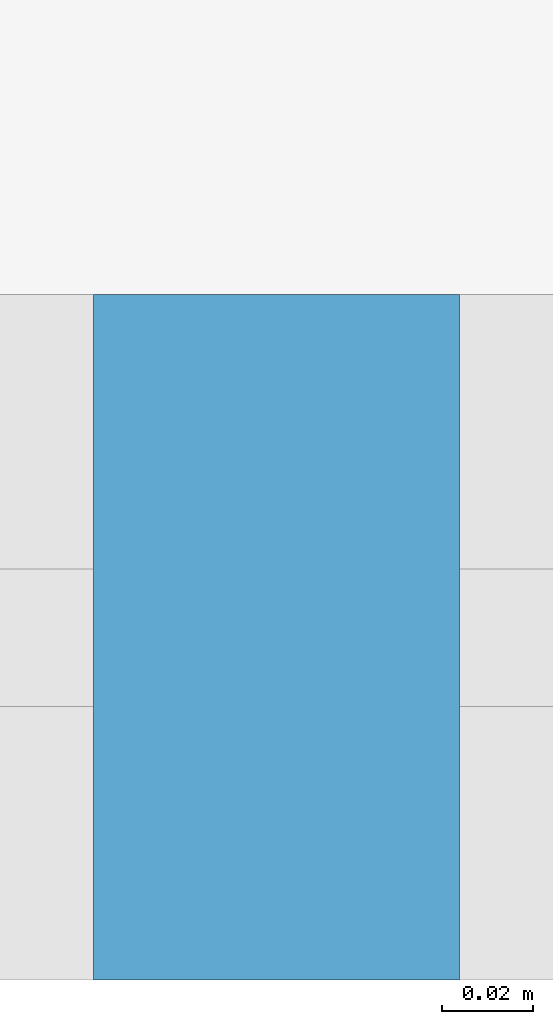
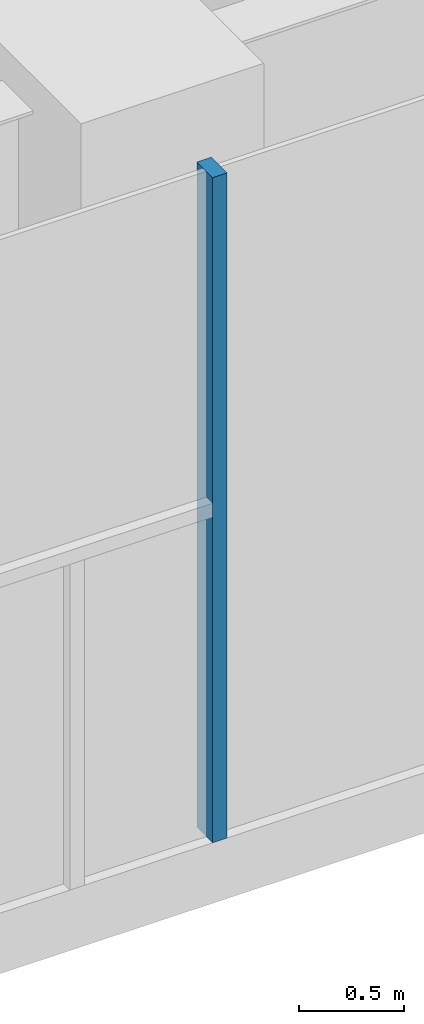
# One storey, part 5 of 21: 1 member, 1 element without a shape of its own.
"""IFC4 building model written with IfcOpenShell, lengths in metres."""

import ifcopenshell
import ifcopenshell.guid

model = None  # the IFC model being written
_history = None  # IfcOwnerHistory: only IFC2X3 demands one
_inside = {}  # id of a spatial element -> (the spatial element, [elements in it])
_under = {}  # id of a project, library or spatial element -> (it, [spatial elements below it])
_declared = {}  # id of a project -> (the project, [libraries it declares])
_typed = {}  # id of a type object -> (the type object, [elements of that type])
_made_of = {}  # id of a material, layer set ... -> (it, [elements and type objects made of it])


def new_model(schema):
    """Start an empty IFC model of exactly this schema.

    Asked for "IFC4X3", IfcOpenShell would pick the latest addendum, in which some entities
    have other attributes; the version numbers below select the first issue.
    IFC2X3 requires an IfcOwnerHistory on every rooted entity: one is made here for all.
    """
    global model, _history
    if schema == "IFC4X3":
        model = ifcopenshell.file(schema_version=(4, 3, 0, 0))
    else:
        model = ifcopenshell.file(schema=schema)
    _inside.clear()
    _under.clear()
    _declared.clear()
    _typed.clear()
    _made_of.clear()
    _history = None
    if model.schema == "IFC2X3":
        org = make("IfcOrganization", Name="unknown")
        user = make(
            "IfcPersonAndOrganization",
            ThePerson=make("IfcPerson", FamilyName="unknown"),
            TheOrganization=org,
        )
        app = make(
            "IfcApplication",
            ApplicationDeveloper=org,
            Version="unknown",
            ApplicationFullName="unknown",
            ApplicationIdentifier="unknown",
        )
        _history = make(
            "IfcOwnerHistory",
            OwningUser=user,
            OwningApplication=app,
            ChangeAction="ADDED",
            CreationDate=0,
        )
    return model


def make(cls, **values):
    """One entity of the class cls with the attributes given. An attribute that is None is left unset."""
    return model.create_entity(
        cls, **{name: value for name, value in values.items() if value is not None}
    )


def rooted(cls, **values):
    """An entity with a GlobalId (a new one), such as an element, a storey or a relation."""
    return make(cls, GlobalId=ifcopenshell.guid.new(), OwnerHistory=_history, **values)


def si_unit(unit_type, name, prefix=None):
    """IfcSIUnit, for example si_unit("LENGTHUNIT", "METRE", prefix="MILLI")."""
    return make("IfcSIUnit", UnitType=unit_type, Prefix=prefix, Name=name)


def assignment(units):
    """IfcUnitAssignment: the units of a project."""
    return None if units is None else make("IfcUnitAssignment", Units=units)


def point(xyz):
    """IfcCartesianPoint."""
    return None if xyz is None else make("IfcCartesianPoint", Coordinates=xyz)


def direction(xyz):
    """IfcDirection."""
    return None if xyz is None else make("IfcDirection", DirectionRatios=xyz)


def frame(location, z_axis=None, x_axis=None):
    """IfcAxis2Placement3D, a coordinate frame: its origin and axes. An axis left out is left unset."""
    return make(
        "IfcAxis2Placement3D",
        Location=point(location),
        Axis=direction(z_axis),
        RefDirection=direction(x_axis),
    )


def frame_2d(location, x_axis=None):
    """IfcAxis2Placement2D, a coordinate frame in the plane: its origin and x axis."""
    return make(
        "IfcAxis2Placement2D", Location=point(location), RefDirection=direction(x_axis)
    )


def origin():
    """The frame at (0, 0, 0) with its axes left unset."""
    return frame((0.0, 0.0, 0.0))


def origin_2d():
    """The frame at (0, 0) in the plane with its x axis left unset."""
    return frame_2d((0.0, 0.0))


def place(relative_to, where):
    """IfcLocalPlacement: puts the frame where relative to a parent placement (None: the world)."""
    return make(
        "IfcLocalPlacement", PlacementRelTo=relative_to, RelativePlacement=where
    )


def context(
    kind, dimensions, precision=None, world=None, true_north=None, identifier=None
):
    """IfcGeometricRepresentationContext, for example the 3D "Model" context."""
    return make(
        "IfcGeometricRepresentationContext",
        ContextIdentifier=identifier,
        ContextType=kind,
        CoordinateSpaceDimension=dimensions,
        Precision=precision,
        WorldCoordinateSystem=world,
        TrueNorth=true_north,
    )


def subcontext(parent, identifier, kind, view, scale=None):
    """IfcGeometricRepresentationSubContext, for example "Body" below "Model"."""
    return make(
        "IfcGeometricRepresentationSubContext",
        ContextIdentifier=identifier,
        ContextType=kind,
        ParentContext=parent,
        TargetScale=scale,
        TargetView=view,
    )


def project(units=None, contexts=None):
    """IfcProject with its units and contexts."""
    return rooted(
        "IfcProject",
        Name="project",
        RepresentationContexts=contexts,
        UnitsInContext=assignment(units),
    )


def spatial(cls, under=None, at=None, **own):
    """A site, building, storey or space (cls), placed at a placement, below another one or the project."""
    s = rooted(cls, ObjectPlacement=at, **own)
    if under is not None:
        _under.setdefault(under.id(), (under, []))[1].append(s)
    return s


def profile(cls, at=None, kind="AREA", **sizes):
    """A parametric profile (cls). Its sizes go by their IFC names, for example OverallWidth=200.0."""
    return make(cls, ProfileType=kind, Position=at, **sizes)


def rectangle(**sizes):
    """IfcRectangleProfileDef."""
    return profile("IfcRectangleProfileDef", **sizes)


def extrude(swept, where, along, depth):
    """IfcExtrudedAreaSolid: the profile swept, set in the frame where, extruded along a direction by depth."""
    return make(
        "IfcExtrudedAreaSolid",
        SweptArea=swept,
        Position=where,
        ExtrudedDirection=direction(along),
        Depth=depth,
    )


def shape(context_of_items, identifier, shape_type, items):
    """IfcShapeRepresentation: the items that make up one representation, for example the "Body"."""
    return make(
        "IfcShapeRepresentation",
        ContextOfItems=context_of_items,
        RepresentationIdentifier=identifier,
        RepresentationType=shape_type,
        Items=items,
    )


def material(Name=None, Category=None):
    """IfcMaterial."""
    return make("IfcMaterial", Name=Name, Category=Category)


def layer(
    of_material, thickness, ventilated=None, Name=None, Category=None, Priority=None
):
    """IfcMaterialLayer: one layer of a wall or slab, of a material (None: an air gap)."""
    return make(
        "IfcMaterialLayer",
        Material=of_material,
        LayerThickness=thickness,
        IsVentilated=ventilated,
        Name=Name,
        Category=Category,
        Priority=Priority,
    )


def layer_set(layers, Name=None):
    """IfcMaterialLayerSet."""
    return make("IfcMaterialLayerSet", MaterialLayers=layers, LayerSetName=Name)


def material_profile(
    of_material, cross_section, Name=None, Category=None, Priority=None
):
    """IfcMaterialProfile: a cross section and its material."""
    return make(
        "IfcMaterialProfile",
        Name=Name,
        Material=of_material,
        Profile=cross_section,
        Priority=Priority,
        Category=Category,
    )


def profile_set(profiles, Name=None, composite=None):
    """IfcMaterialProfileSet."""
    return make(
        "IfcMaterialProfileSet",
        Name=Name,
        MaterialProfiles=profiles,
        CompositeProfile=composite,
    )


def made_of(thing, what):
    """Note that an element or type object is made of a material, layer set ...; save() writes the relation."""
    if what is not None:
        _made_of.setdefault(what.id(), (what, []))[1].append(thing)
    return thing


def type_object(cls, material=None, **own):
    """A type object (cls), such as IfcWallType, which elements share."""
    return made_of(rooted(cls, **own), material)


def element(
    cls,
    number,
    at=None,
    inside=None,
    cuts=None,
    type_object=None,
    material=None,
    context=None,
    identifier="Body",
    shape_type=None,
    held_by="IfcProductDefinitionShape",
    body=None,
    shapes=None,
    **own,
):
    """One element of the class cls, such as IfcWall. Its Tag is "e" and its number.

    at: its placement. inside: the storey or other place that contains it. cuts: it is an
    opening in that element (IfcRelVoidsElement). A single representation is given by context,
    identifier, shape_type and body (its items); several are given by shapes. held_by: the class
    of the entity that holds the representations. save() writes the other relations.
    """
    e = rooted(cls, Tag="e%d" % number, ObjectPlacement=at, **own)
    if body is not None:
        shapes = [shape(context, identifier, shape_type, body)]
    if shapes is not None:
        e.Representation = make(held_by, Representations=shapes)
    if inside is not None:
        _inside.setdefault(inside.id(), (inside, []))[1].append(e)
    if cuts is not None:
        rooted(
            "IfcRelVoidsElement", RelatingBuildingElement=cuts, RelatedOpeningElement=e
        )
    if type_object is not None:
        _typed.setdefault(type_object.id(), (type_object, []))[1].append(e)
    return made_of(e, material)


def aggregate(whole, parts):
    """IfcRelAggregates: a whole, such as a stair, and the parts it consists of."""
    return rooted("IfcRelAggregates", RelatingObject=whole, RelatedObjects=parts)


def save(model, path):
    """Write the relations noted so far, then the file.

    IfcRelAggregates (storeys below a building ...), IfcRelContainedInSpatialStructure (elements
    in a storey), IfcRelDefinesByType, IfcRelAssociatesMaterial and IfcRelDeclares: one each for
    every whole, place, type object, material and project.
    """
    for whole, parts in _under.values():
        aggregate(whole, parts)
    for where, things in _inside.values():
        rooted(
            "IfcRelContainedInSpatialStructure",
            RelatedElements=things,
            RelatingStructure=where,
        )
    for kind, things in _typed.values():
        rooted("IfcRelDefinesByType", RelatedObjects=things, RelatingType=kind)
    for what, things in _made_of.values():
        rooted("IfcRelAssociatesMaterial", RelatedObjects=things, RelatingMaterial=what)
    for by, libraries in _declared.values():
        rooted("IfcRelDeclares", RelatingContext=by, RelatedDefinitions=libraries)
    model.write(path)


model = new_model("IFC4")

# Units and contexts
model_context = context("Model", 3, precision=1e-05, world=origin(), true_north=direction((0.0, 1.0)))
body_context = subcontext(model_context, "Body", "Model", "MODEL_VIEW")
ifc_project = project(units=[si_unit("LENGTHUNIT", "METRE"), si_unit("AREAUNIT", "SQUARE_METRE"), si_unit("VOLUMEUNIT", "CUBIC_METRE"), si_unit("PLANEANGLEUNIT", "RADIAN"), si_unit("MASSUNIT", "GRAM", prefix="KILO")], contexts=[model_context])

# Site, building, storey
site_placement = place(None, origin())
site = spatial("IfcSite", under=ifc_project, at=site_placement, CompositionType="ELEMENT")
building_placement = place(site_placement, origin())
building = spatial("IfcBuilding", under=site, at=building_placement, Name="Firuza Gate Tower and Library", CompositionType="ELEMENT")
storey_placement = place(building_placement, frame((0.0, 0.0, 69.39990234375)))
storey = spatial("IfcBuildingStorey", under=building, at=storey_placement, Name="L15", CompositionType="ELEMENT", Elevation=69.39990234375)

# Curtain wall, member
ifc_material_1 = material(Name="Aluminium 6063-T6", Category="aluminium")
ifc_layer = layer(ifc_material_1, 0.14990234375)
ifc_layer_set = layer_set([ifc_layer], Name="Unitised curtain wall, offices")
curtain_wall_type = type_object("IfcCurtainWallType", Name="Unitised curtain wall, offices", PredefinedType="NOTDEFINED", material=ifc_layer_set)
curtain_wall_placement = place(storey_placement, origin())
curtain_wall = element("IfcCurtainWall", 1, at=curtain_wall_placement, inside=storey, type_object=curtain_wall_type, Name="CW1 L15 S face", PredefinedType="NOTDEFINED")
ifc_material_2 = material(Name="Aluminium 6063-T6", Category="aluminium")
ifc_material_profile = material_profile(ifc_material_2, rectangle(XDim=0.14990234375, YDim=0.080078125, at=origin_2d()))
ifc_profile_set = profile_set([ifc_material_profile], Name="Aluminium 6063-T6")
member_type = type_object("IfcMemberType", Name="Curtain wall mullion 80x150", PredefinedType="MULLION", material=ifc_profile_set)
member_placement = place(storey_placement, frame((75.0, 54.339111328125, 0.150146484375), z_axis=(0.0, 0.0, 1.0), x_axis=(0.0, 1.0, 0.0)))
member = element("IfcMember", 2, at=member_placement, type_object=member_type, Name="Mullion", PredefinedType="MULLION", context=body_context, shape_type="SweptSolid", body=[
    extrude(rectangle(XDim=0.14990234375, YDim=0.080078125, at=origin_2d()), origin(), (0.0, 0.0, 1.0), 3.849853515625),
])
aggregate(curtain_wall, [member])

save(model, "model.ifc")
